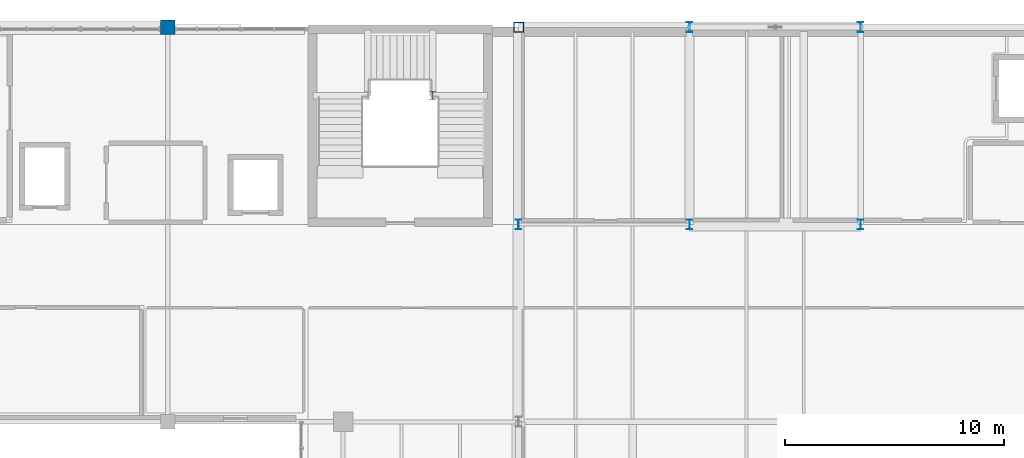
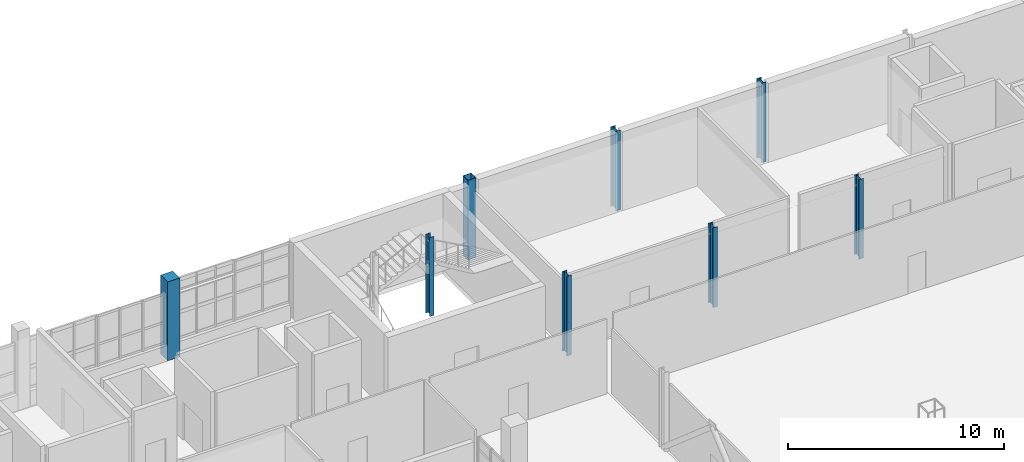
# One storey, part 6 of 38: 8 columns.
"""IFC4 building model written with IfcOpenShell, lengths in metres."""

from ifc_helpers import new_model, si_unit, derived_unit, direction, frame, origin, origin_2d, place, context, subcontext, project, spatial, rectangle, hollow_rectangle, i_section, extrude, material, material_profile, profile_set, type_object, element, save


model = new_model("IFC4")

# Units and contexts
model_context = context("Model", 3, precision=1e-05, world=origin(), true_north=direction((0.0, 1.0)))
body_context = subcontext(model_context, "Body", "Model", "MODEL_VIEW")
ifc_project = project(units=[si_unit("LENGTHUNIT", "METRE"), si_unit("AREAUNIT", "SQUARE_METRE"), si_unit("VOLUMEUNIT", "CUBIC_METRE"), si_unit("PLANEANGLEUNIT", "RADIAN"), si_unit("MASSUNIT", "GRAM", prefix="KILO"), derived_unit("THERMALTRANSMITTANCEUNIT", [(si_unit("POWERUNIT", "WATT"), 1), (si_unit("LENGTHUNIT", "METRE"), -2), (si_unit("THERMODYNAMICTEMPERATUREUNIT", "KELVIN"), -1)])], contexts=[model_context])

# Site, building, storey
site_placement = place(None, origin())
site = spatial("IfcSite", under=ifc_project, at=site_placement, CompositionType="ELEMENT")
building_placement = place(site_placement, origin())
building = spatial("IfcBuilding", under=site, at=building_placement, Name="Nallur Shell Playhouse", CompositionType="ELEMENT")
storey_placement = place(building_placement, frame((0.0, 0.0, 24.300048828125)))
storey = spatial("IfcBuildingStorey", under=building, at=storey_placement, Name="L06", CompositionType="ELEMENT", Elevation=24.300048828125)

# Columns
ifc_material_1 = material(Name="Concrete M35", Category="concrete")
ifc_material_profile_1 = material_profile(ifc_material_1, rectangle(XDim=0.64990234375, YDim=0.64990234375, at=origin_2d()), Name="RC 650x650")
ifc_profile_set_1 = profile_set([ifc_material_profile_1], Name="Concrete M35")
column_type_1 = type_object("IfcColumnType", Name="CL-RC-650", PredefinedType="COLUMN", material=ifc_profile_set_1)
column_1_placement = place(storey_placement, frame((48.0, 83.0, 0.0), z_axis=(0.0, 0.0, 1.0), x_axis=(1.0, 0.0, 0.0)))
element("IfcColumn", 1, at=column_1_placement, inside=storey, type_object=column_type_1, Name="Column 6-K (L06)", PredefinedType="COLUMN", context=body_context, shape_type="SweptSolid", body=[
    extrude(rectangle(XDim=0.64990234375, YDim=0.64990234375, at=origin_2d()), origin(), (0.0, 0.0, 1.0), 4.4599609375),
])
ifc_material_2 = material(Name="Steel E350", Category="steel")
ifc_material_profile_2 = material_profile(ifc_material_2, hollow_rectangle(XDim=0.449951171875, YDim=0.449951171875, WallThickness=0.02001953125, at=origin_2d()), Name="BOX 450x450x20")
ifc_profile_set_2 = profile_set([ifc_material_profile_2], Name="Steel E350")
column_type_2 = type_object("IfcColumnType", Name="CL-ST-BOX450", PredefinedType="COLUMN", material=ifc_profile_set_2)
column_2_placement = place(storey_placement, frame((64.0, 83.0, 0.0), z_axis=(0.0, 0.0, 1.0), x_axis=(1.0, 0.0, 0.0)))
element("IfcColumn", 2, at=column_2_placement, inside=storey, type_object=column_type_2, Name="Column 8-K (L06)", PredefinedType="COLUMN", context=body_context, shape_type="SweptSolid", body=[
    extrude(hollow_rectangle(XDim=0.449951171875, YDim=0.449951171875, WallThickness=0.02001953125, at=origin_2d()), origin(), (0.0, 0.0, 1.0), 4.5),
])
ifc_material_profile_3 = material_profile(ifc_material_2, i_section(OverallWidth=0.25, OverallDepth=0.35009765625, WebThickness=0.010009765625, FlangeThickness=0.01171875, FilletRadius=0.011962890625, at=origin_2d()), Name="ISHB 350")
ifc_profile_set_3 = profile_set([ifc_material_profile_3], Name="Steel E350")
column_type_3 = type_object("IfcColumnType", Name="CL-ST-ISHB350", PredefinedType="COLUMN", material=ifc_profile_set_3)
column_3_placement = place(storey_placement, frame((60.080078125, 79.8798828125, 0.0), z_axis=(0.0, 0.0, 1.0), x_axis=(1.0, 0.0, 0.0)))
element("IfcColumn", 3, at=column_3_placement, inside=storey, type_object=column_type_3, Name="Column STW-JC-3-E (L06)", PredefinedType="COLUMN", context=body_context, shape_type="SweptSolid", body=[
    extrude(i_section(OverallWidth=0.25, OverallDepth=0.35009765625, WebThickness=0.010009765625, FlangeThickness=0.01171875, FilletRadius=0.011962890625, at=origin_2d()), origin(), (0.0, 0.0, 1.0), 4.4599609375),
])
ifc_material_profile_4 = material_profile(ifc_material_2, i_section(OverallWidth=0.25, OverallDepth=0.449951171875, WebThickness=0.01123046875, FlangeThickness=0.013671875, FilletRadius=0.014892578125, at=origin_2d()), Name="ISHB 450")
ifc_profile_set_4 = profile_set([ifc_material_profile_4], Name="Steel E350")
column_type_4 = type_object("IfcColumnType", Name="CL-ST-ISHB450", PredefinedType="COLUMN", material=ifc_profile_set_4)
for number, where, z_axis, x_axis, name in (
    (4, (64.0, 74.0, 0.0), (0.0, 0.0, 1.0), (1.0, 0.0, 0.0), "Column 8-J (L06)"),
    (5, (71.800048828125, 74.0, 0.0), (0.0, 0.0, 1.0), (1.0, 0.0, 0.0), "Column 9-J (L06)"),
    (6, (71.800048828125, 83.0, 0.0), (0.0, 0.0, 1.0), (1.0, 0.0, 0.0), "Column 9-K (L06)"),
    (7, (79.60009765625, 74.0, 0.0), (0.0, 0.0, 1.0), (1.0, 0.0, 0.0), "Column 10-J (L06)"),
    (8, (79.60009765625, 83.0, 0.0), (0.0, 0.0, 1.0), (1.0, 0.0, 0.0), "Column 10-K (L06)"),
):
    element("IfcColumn", number, at=place(storey_placement, frame(where, z_axis=z_axis, x_axis=x_axis)), inside=storey, type_object=column_type_4, Name=name, PredefinedType="COLUMN", context=body_context, shape_type="SweptSolid", body=[
        extrude(i_section(OverallWidth=0.25, OverallDepth=0.449951171875, WebThickness=0.01123046875, FlangeThickness=0.013671875, FilletRadius=0.014892578125, at=origin_2d()), origin(), (0.0, 0.0, 1.0), 4.5),
    ])

save(model, "model.ifc")
